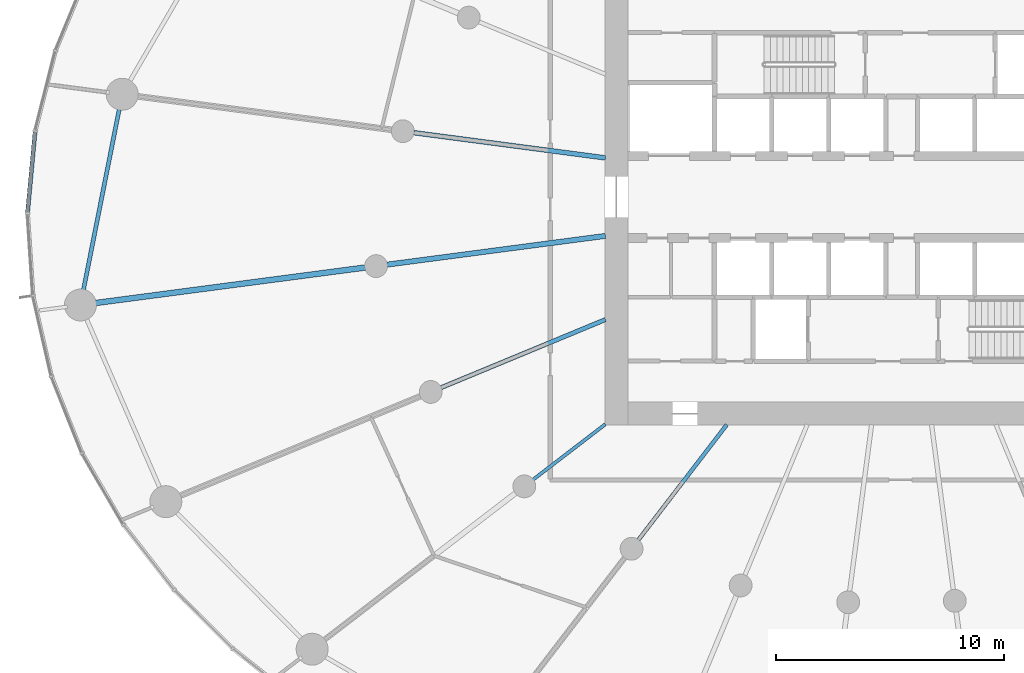
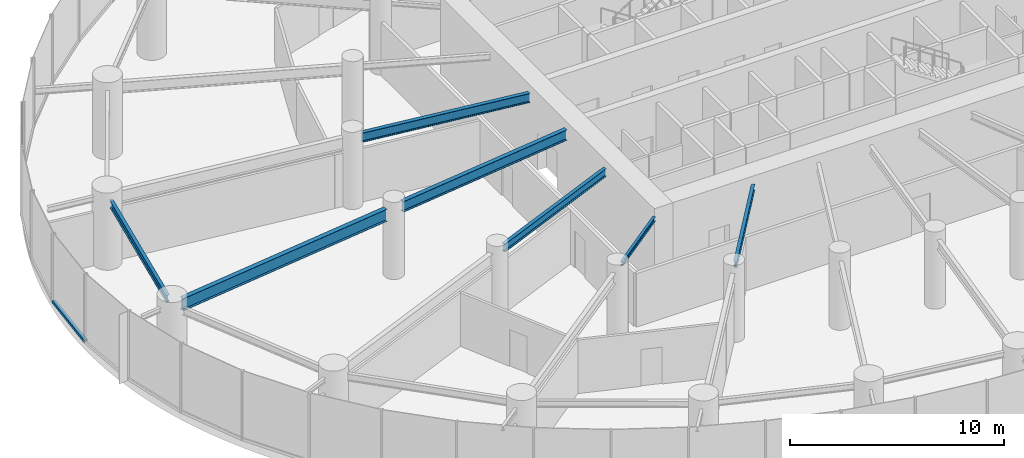
# One storey, part 3 of 19: 7 beams, 1 member, 1 element without a shape of its own.
"""IFC4 building model written with IfcOpenShell, lengths in metres."""

import ifcopenshell
import ifcopenshell.guid

model = None  # the IFC model being written
_history = None  # IfcOwnerHistory: only IFC2X3 demands one
_inside = {}  # id of a spatial element -> (the spatial element, [elements in it])
_under = {}  # id of a project, library or spatial element -> (it, [spatial elements below it])
_declared = {}  # id of a project -> (the project, [libraries it declares])
_typed = {}  # id of a type object -> (the type object, [elements of that type])
_made_of = {}  # id of a material, layer set ... -> (it, [elements and type objects made of it])


def new_model(schema):
    """Start an empty IFC model of exactly this schema.

    Asked for "IFC4X3", IfcOpenShell would pick the latest addendum, in which some entities
    have other attributes; the version numbers below select the first issue.
    IFC2X3 requires an IfcOwnerHistory on every rooted entity: one is made here for all.
    """
    global model, _history
    if schema == "IFC4X3":
        model = ifcopenshell.file(schema_version=(4, 3, 0, 0))
    else:
        model = ifcopenshell.file(schema=schema)
    _inside.clear()
    _under.clear()
    _declared.clear()
    _typed.clear()
    _made_of.clear()
    _history = None
    if model.schema == "IFC2X3":
        org = make("IfcOrganization", Name="unknown")
        user = make(
            "IfcPersonAndOrganization",
            ThePerson=make("IfcPerson", FamilyName="unknown"),
            TheOrganization=org,
        )
        app = make(
            "IfcApplication",
            ApplicationDeveloper=org,
            Version="unknown",
            ApplicationFullName="unknown",
            ApplicationIdentifier="unknown",
        )
        _history = make(
            "IfcOwnerHistory",
            OwningUser=user,
            OwningApplication=app,
            ChangeAction="ADDED",
            CreationDate=0,
        )
    return model


def make(cls, **values):
    """One entity of the class cls with the attributes given. An attribute that is None is left unset."""
    return model.create_entity(
        cls, **{name: value for name, value in values.items() if value is not None}
    )


def rooted(cls, **values):
    """An entity with a GlobalId (a new one), such as an element, a storey or a relation."""
    return make(cls, GlobalId=ifcopenshell.guid.new(), OwnerHistory=_history, **values)


def si_unit(unit_type, name, prefix=None):
    """IfcSIUnit, for example si_unit("LENGTHUNIT", "METRE", prefix="MILLI")."""
    return make("IfcSIUnit", UnitType=unit_type, Prefix=prefix, Name=name)


def assignment(units):
    """IfcUnitAssignment: the units of a project."""
    return None if units is None else make("IfcUnitAssignment", Units=units)


def point(xyz):
    """IfcCartesianPoint."""
    return None if xyz is None else make("IfcCartesianPoint", Coordinates=xyz)


def direction(xyz):
    """IfcDirection."""
    return None if xyz is None else make("IfcDirection", DirectionRatios=xyz)


def frame(location, z_axis=None, x_axis=None):
    """IfcAxis2Placement3D, a coordinate frame: its origin and axes. An axis left out is left unset."""
    return make(
        "IfcAxis2Placement3D",
        Location=point(location),
        Axis=direction(z_axis),
        RefDirection=direction(x_axis),
    )


def frame_2d(location, x_axis=None):
    """IfcAxis2Placement2D, a coordinate frame in the plane: its origin and x axis."""
    return make(
        "IfcAxis2Placement2D", Location=point(location), RefDirection=direction(x_axis)
    )


def origin():
    """The frame at (0, 0, 0) with its axes left unset."""
    return frame((0.0, 0.0, 0.0))


def origin_2d():
    """The frame at (0, 0) in the plane with its x axis left unset."""
    return frame_2d((0.0, 0.0))


def place(relative_to, where):
    """IfcLocalPlacement: puts the frame where relative to a parent placement (None: the world)."""
    return make(
        "IfcLocalPlacement", PlacementRelTo=relative_to, RelativePlacement=where
    )


def context(
    kind, dimensions, precision=None, world=None, true_north=None, identifier=None
):
    """IfcGeometricRepresentationContext, for example the 3D "Model" context."""
    return make(
        "IfcGeometricRepresentationContext",
        ContextIdentifier=identifier,
        ContextType=kind,
        CoordinateSpaceDimension=dimensions,
        Precision=precision,
        WorldCoordinateSystem=world,
        TrueNorth=true_north,
    )


def subcontext(parent, identifier, kind, view, scale=None):
    """IfcGeometricRepresentationSubContext, for example "Body" below "Model"."""
    return make(
        "IfcGeometricRepresentationSubContext",
        ContextIdentifier=identifier,
        ContextType=kind,
        ParentContext=parent,
        TargetScale=scale,
        TargetView=view,
    )


def project(units=None, contexts=None):
    """IfcProject with its units and contexts."""
    return rooted(
        "IfcProject",
        Name="project",
        RepresentationContexts=contexts,
        UnitsInContext=assignment(units),
    )


def spatial(cls, under=None, at=None, **own):
    """A site, building, storey or space (cls), placed at a placement, below another one or the project."""
    s = rooted(cls, ObjectPlacement=at, **own)
    if under is not None:
        _under.setdefault(under.id(), (under, []))[1].append(s)
    return s


def profile(cls, at=None, kind="AREA", **sizes):
    """A parametric profile (cls). Its sizes go by their IFC names, for example OverallWidth=200.0."""
    return make(cls, ProfileType=kind, Position=at, **sizes)


def rectangle(**sizes):
    """IfcRectangleProfileDef."""
    return profile("IfcRectangleProfileDef", **sizes)


def i_section(**sizes):
    """IfcIShapeProfileDef."""
    return profile("IfcIShapeProfileDef", **sizes)


def extrude(swept, where, along, depth):
    """IfcExtrudedAreaSolid: the profile swept, set in the frame where, extruded along a direction by depth."""
    return make(
        "IfcExtrudedAreaSolid",
        SweptArea=swept,
        Position=where,
        ExtrudedDirection=direction(along),
        Depth=depth,
    )


def shape(context_of_items, identifier, shape_type, items):
    """IfcShapeRepresentation: the items that make up one representation, for example the "Body"."""
    return make(
        "IfcShapeRepresentation",
        ContextOfItems=context_of_items,
        RepresentationIdentifier=identifier,
        RepresentationType=shape_type,
        Items=items,
    )


def source(mapping_origin, context_of_items, identifier, shape_type, items):
    """IfcRepresentationMap: a shape defined once, which mapped items show again and again."""
    return make(
        "IfcRepresentationMap",
        MappingOrigin=mapping_origin,
        MappedRepresentation=shape(context_of_items, identifier, shape_type, items),
    )


def transform(
    local_origin,
    x_axis=None,
    y_axis=None,
    z_axis=None,
    scale=None,
    scale2=None,
    scale3=None,
    uniform=True,
):
    """IfcCartesianTransformationOperator3D, or its non-uniform kind. x_axis, y_axis, z_axis: its Axis1, 2, 3."""
    if uniform:
        return make(
            "IfcCartesianTransformationOperator3D",
            Axis1=direction(x_axis),
            Axis2=direction(y_axis),
            LocalOrigin=point(local_origin),
            Scale=scale,
            Axis3=direction(z_axis),
        )
    return make(
        "IfcCartesianTransformationOperator3DnonUniform",
        Axis1=direction(x_axis),
        Axis2=direction(y_axis),
        LocalOrigin=point(local_origin),
        Scale=scale,
        Axis3=direction(z_axis),
        Scale2=scale2,
        Scale3=scale3,
    )


def mapped(mapping_source, mapping_target):
    """IfcMappedItem: shows the shape of a source again, moved by a transform."""
    return make(
        "IfcMappedItem", MappingSource=mapping_source, MappingTarget=mapping_target
    )


def material(Name=None, Category=None):
    """IfcMaterial."""
    return make("IfcMaterial", Name=Name, Category=Category)


def layer(
    of_material, thickness, ventilated=None, Name=None, Category=None, Priority=None
):
    """IfcMaterialLayer: one layer of a wall or slab, of a material (None: an air gap)."""
    return make(
        "IfcMaterialLayer",
        Material=of_material,
        LayerThickness=thickness,
        IsVentilated=ventilated,
        Name=Name,
        Category=Category,
        Priority=Priority,
    )


def layer_set(layers, Name=None):
    """IfcMaterialLayerSet."""
    return make("IfcMaterialLayerSet", MaterialLayers=layers, LayerSetName=Name)


def material_profile(
    of_material, cross_section, Name=None, Category=None, Priority=None
):
    """IfcMaterialProfile: a cross section and its material."""
    return make(
        "IfcMaterialProfile",
        Name=Name,
        Material=of_material,
        Profile=cross_section,
        Priority=Priority,
        Category=Category,
    )


def profile_set(profiles, Name=None, composite=None):
    """IfcMaterialProfileSet."""
    return make(
        "IfcMaterialProfileSet",
        Name=Name,
        MaterialProfiles=profiles,
        CompositeProfile=composite,
    )


def made_of(thing, what):
    """Note that an element or type object is made of a material, layer set ...; save() writes the relation."""
    if what is not None:
        _made_of.setdefault(what.id(), (what, []))[1].append(thing)
    return thing


def type_object(cls, material=None, **own):
    """A type object (cls), such as IfcWallType, which elements share."""
    return made_of(rooted(cls, **own), material)


def element(
    cls,
    number,
    at=None,
    inside=None,
    cuts=None,
    type_object=None,
    material=None,
    context=None,
    identifier="Body",
    shape_type=None,
    held_by="IfcProductDefinitionShape",
    body=None,
    shapes=None,
    **own,
):
    """One element of the class cls, such as IfcWall. Its Tag is "e" and its number.

    at: its placement. inside: the storey or other place that contains it. cuts: it is an
    opening in that element (IfcRelVoidsElement). A single representation is given by context,
    identifier, shape_type and body (its items); several are given by shapes. held_by: the class
    of the entity that holds the representations. save() writes the other relations.
    """
    e = rooted(cls, Tag="e%d" % number, ObjectPlacement=at, **own)
    if body is not None:
        shapes = [shape(context, identifier, shape_type, body)]
    if shapes is not None:
        e.Representation = make(held_by, Representations=shapes)
    if inside is not None:
        _inside.setdefault(inside.id(), (inside, []))[1].append(e)
    if cuts is not None:
        rooted(
            "IfcRelVoidsElement", RelatingBuildingElement=cuts, RelatedOpeningElement=e
        )
    if type_object is not None:
        _typed.setdefault(type_object.id(), (type_object, []))[1].append(e)
    return made_of(e, material)


def aggregate(whole, parts):
    """IfcRelAggregates: a whole, such as a stair, and the parts it consists of."""
    return rooted("IfcRelAggregates", RelatingObject=whole, RelatedObjects=parts)


def save(model, path):
    """Write the relations noted so far, then the file.

    IfcRelAggregates (storeys below a building ...), IfcRelContainedInSpatialStructure (elements
    in a storey), IfcRelDefinesByType, IfcRelAssociatesMaterial and IfcRelDeclares: one each for
    every whole, place, type object, material and project.
    """
    for whole, parts in _under.values():
        aggregate(whole, parts)
    for where, things in _inside.values():
        rooted(
            "IfcRelContainedInSpatialStructure",
            RelatedElements=things,
            RelatingStructure=where,
        )
    for kind, things in _typed.values():
        rooted("IfcRelDefinesByType", RelatedObjects=things, RelatingType=kind)
    for what, things in _made_of.values():
        rooted("IfcRelAssociatesMaterial", RelatedObjects=things, RelatingMaterial=what)
    for by, libraries in _declared.values():
        rooted("IfcRelDeclares", RelatingContext=by, RelatedDefinitions=libraries)
    model.write(path)


model = new_model("IFC4")

# Units and contexts
model_context = context("Model", 3, precision=1e-05, world=origin(), true_north=direction((0.0, 1.0)))
body_context = subcontext(model_context, "Body", "Model", "MODEL_VIEW")
ifc_project = project(units=[si_unit("LENGTHUNIT", "METRE"), si_unit("AREAUNIT", "SQUARE_METRE"), si_unit("VOLUMEUNIT", "CUBIC_METRE"), si_unit("PLANEANGLEUNIT", "RADIAN"), si_unit("MASSUNIT", "GRAM", prefix="KILO")], contexts=[model_context])

# Site, building, storey
site_placement = place(None, origin())
site = spatial("IfcSite", under=ifc_project, at=site_placement, CompositionType="ELEMENT")
building_placement = place(site_placement, origin())
building = spatial("IfcBuilding", under=site, at=building_placement, Name="Spindrift Exchange Tower", CompositionType="ELEMENT")
storey_placement = place(building_placement, frame((0.0, 0.0, 31.39990234375)))
storey = spatial("IfcBuildingStorey", under=building, at=storey_placement, Name="L07", CompositionType="ELEMENT", Elevation=31.39990234375)

# Beams
ifc_material_1 = material(Name="Steel Grade 300", Category="steel")
ifc_material_profile_1 = material_profile(ifc_material_1, i_section(OverallWidth=0.22802734375, OverallDepth=0.60693359375, WebThickness=0.01123046875, FlangeThickness=0.017333984375, FilletRadius=0.013916015625, at=origin_2d()), Name="610UB113")
ifc_profile_set_1 = profile_set([ifc_material_profile_1], Name="Steel Grade 300")
beam_type_1 = type_object("IfcBeamType", Name="Floor Beam 610UB113 Steel Grade 300", PredefinedType="BEAM", material=ifc_profile_set_1)
shared_shape_1 = source(origin(), body_context, "Body", "SweptSolid", [
    extrude(i_section(OverallWidth=0.22802734375, OverallDepth=0.60693359375, WebThickness=0.01123046875, FlangeThickness=0.017333984375, FilletRadius=0.013916015625, at=origin_2d()), origin(), (0.0, 0.0, 1.0), 9.660400390625),
])
beam_1_placement = place(storey_placement, frame((39.019775390625, 46.291015625, 3.646484375), z_axis=(-0.99144767089, -0.130504850054, 0.0), x_axis=(0.130504850054, -0.99144767089, 0.0)))
element("IfcBeam", 1, at=beam_1_placement, inside=storey, type_object=beam_type_1, Name="L07 radial beam R13A", PredefinedType="BEAM", context=body_context, shape_type="MappedRepresentation", body=[
    mapped(shared_shape_1, transform((0.0, 0.0, 0.0), scale=1.0)),
])
ifc_material_profile_2 = material_profile(ifc_material_1, i_section(OverallWidth=0.25, OverallDepth=0.699951171875, WebThickness=0.008056640625, FlangeThickness=0.011962890625, at=origin_2d()), Name="700WB115")
ifc_profile_set_2 = profile_set([ifc_material_profile_2], Name="Steel Grade 300")
beam_type_2 = type_object("IfcBeamType", Name="Floor Beam 700WB115 Steel Grade 300", PredefinedType="BEAM", material=ifc_profile_set_2)
shared_shape_2 = source(origin(), body_context, "Body", "SweptSolid", [
    extrude(i_section(OverallWidth=0.25, OverallDepth=0.699951171875, WebThickness=0.008056640625, FlangeThickness=0.011962890625, at=origin_2d()), origin(), (0.0, 0.0, 1.0), 12.00830078125),
])
beam_2_placement = place(storey_placement, frame((28.490234375, 44.90478515625, 3.60009765625), z_axis=(-0.991444950947, -0.130525511844, 0.0), x_axis=(0.130525511844, -0.991444950947, 0.0)))
element("IfcBeam", 2, at=beam_2_placement, inside=storey, type_object=beam_type_2, Name="L07 radial beam R13B", PredefinedType="BEAM", context=body_context, shape_type="MappedRepresentation", body=[
    mapped(shared_shape_2, transform((0.0, 0.0, 0.0), scale=1.0)),
])
ifc_material_profile_3 = material_profile(ifc_material_1, i_section(OverallWidth=0.18994140625, OverallDepth=0.45703125, WebThickness=0.009033203125, FlangeThickness=0.014404296875, FilletRadius=0.013916015625, at=origin_2d()), Name="460UB74.6")
ifc_profile_set_3 = profile_set([ifc_material_profile_3], Name="Steel Grade 300")
beam_type_3 = type_object("IfcBeamType", Name="Floor Beam 460UB74.6 Steel Grade 300", PredefinedType="BEAM", material=ifc_profile_set_3)
shared_shape_3 = source(origin(), body_context, "Body", "SweptSolid", [
    extrude(i_section(OverallWidth=0.18994140625, OverallDepth=0.45703125, WebThickness=0.009033203125, FlangeThickness=0.014404296875, FilletRadius=0.013916015625, at=origin_2d()), origin(), (0.0, 0.0, 1.0), 7.808837890625),
])
beam_3_placement = place(storey_placement, frame((39.0185546875, 42.622802734375, 3.7216796875), z_axis=(-0.92387965154, -0.382683145003, 0.0), x_axis=(0.382683145003, -0.92387965154, 0.0)))
element("IfcBeam", 3, at=beam_3_placement, inside=storey, type_object=beam_type_3, Name="L07 radial beam R14A", PredefinedType="BEAM", context=body_context, shape_type="MappedRepresentation", body=[
    mapped(shared_shape_3, transform((0.0, 0.0, 0.0), scale=1.0)),
])
ifc_material_profile_4 = material_profile(ifc_material_1, i_section(OverallWidth=0.14599609375, OverallDepth=0.251953125, WebThickness=0.006103515625, FlangeThickness=0.008544921875, FilletRadius=0.011962890625, at=origin_2d()), Name="250UB31.4")
ifc_profile_set_4 = profile_set([ifc_material_profile_4], Name="Steel Grade 300")
beam_type_4 = type_object("IfcBeamType", Name="Floor Beam 250UB31.4 Steel Grade 300", PredefinedType="BEAM", material=ifc_profile_set_4)
shared_shape_4 = source(origin(), body_context, "Body", "SweptSolid", [
    extrude(i_section(OverallWidth=0.14599609375, OverallDepth=0.251953125, WebThickness=0.006103515625, FlangeThickness=0.008544921875, FilletRadius=0.011962890625, at=origin_2d()), origin(), (0.0, 0.0, 1.0), 3.99560546875),
])
beam_4_placement = place(storey_placement, frame((39.015869140625, 38.036865234375, 3.82421875), z_axis=(-0.793352561574, -0.608762443851, 0.0), x_axis=(0.608762443851, -0.793352561574, 0.0)))
element("IfcBeam", 4, at=beam_4_placement, inside=storey, type_object=beam_type_4, Name="L07 radial beam R15A", PredefinedType="BEAM", context=body_context, shape_type="MappedRepresentation", body=[
    mapped(shared_shape_4, transform((0.0, 0.0, 0.0), scale=1.0)),
])
ifc_material_profile_5 = material_profile(ifc_material_1, i_section(OverallWidth=0.172119140625, OverallDepth=0.35888671875, WebThickness=0.008056640625, FlangeThickness=0.012939453125, FilletRadius=0.013916015625, at=origin_2d()), Name="360UB56.7")
ifc_profile_set_5 = profile_set([ifc_material_profile_5], Name="Steel Grade 300")
beam_type_5 = type_object("IfcBeamType", Name="Floor Beam 360UB56.7 Steel Grade 300", PredefinedType="BEAM", material=ifc_profile_set_5)
shared_shape_5 = source(origin(), body_context, "Body", "SweptSolid", [
    extrude(i_section(OverallWidth=0.172119140625, OverallDepth=0.35888671875, WebThickness=0.008056640625, FlangeThickness=0.012939453125, FilletRadius=0.013916015625, at=origin_2d()), origin(), (0.0, 0.0, 1.0), 6.37646484375),
])
beam_5_placement = place(storey_placement, frame((44.3388671875, 38.015869140625, 3.7705078125), z_axis=(-0.608766669952, -0.793349318747, 0.0), x_axis=(0.793349318747, -0.608766669952, 0.0)))
element("IfcBeam", 5, at=beam_5_placement, inside=storey, type_object=beam_type_5, Name="L07 radial beam R16A", PredefinedType="BEAM", context=body_context, shape_type="MappedRepresentation", body=[
    mapped(shared_shape_5, transform((0.0, 0.0, 0.0), scale=1.0)),
])
ifc_material_profile_6 = material_profile(ifc_material_1, i_section(OverallWidth=0.208984375, OverallDepth=0.532958984375, WebThickness=0.01025390625, FlangeThickness=0.015625, FilletRadius=0.013916015625, at=origin_2d()), Name="530UB92.4")
ifc_profile_set_6 = profile_set([ifc_material_profile_6], Name="Steel Grade 300")
beam_type_6 = type_object("IfcBeamType", Name="Floor Beam 530UB92.4 Steel Grade 300", PredefinedType="BEAM", material=ifc_profile_set_6)
shared_shape_6 = source(origin(), body_context, "Body", "SweptSolid", [
    extrude(i_section(OverallWidth=0.208984375, OverallDepth=0.532958984375, WebThickness=0.01025390625, FlangeThickness=0.015625, FilletRadius=0.013916015625, at=origin_2d()), origin(), (0.0, 0.0, 1.0), 8.4794921875),
])
beam_6_placement = place(storey_placement, frame((39.019775390625, 49.708984375, 3.68359375), z_axis=(-0.991446551951, 0.13051335037, 0.0), x_axis=(-0.13051335037, -0.991446551951, 0.0)))
element("IfcBeam", 6, at=beam_6_placement, inside=storey, type_object=beam_type_6, Name="L07 radial beam R12A", PredefinedType="BEAM", context=body_context, shape_type="MappedRepresentation", body=[
    mapped(shared_shape_6, transform((0.0, 0.0, 0.0), scale=1.0)),
])
ifc_material_profile_7 = material_profile(ifc_material_1, i_section(OverallWidth=0.177978515625, OverallDepth=0.406005859375, WebThickness=0.0078125, FlangeThickness=0.0126953125, FilletRadius=0.013916015625, at=origin_2d()), Name="410UB59.7")
ifc_profile_set_7 = profile_set([ifc_material_profile_7], Name="Steel Grade 300")
beam_type_7 = type_object("IfcBeamType", Name="Edge Beam 410UB59.7 Steel Grade 300", PredefinedType="SPANDREL", material=ifc_profile_set_7)
shared_shape_7 = source(origin(), body_context, "Body", "SweptSolid", [
    extrude(i_section(OverallWidth=0.177978515625, OverallDepth=0.406005859375, WebThickness=0.0078125, FlangeThickness=0.0126953125, FilletRadius=0.013916015625, at=origin_2d()), origin(), (0.0, 0.0, 1.0), 8.2548828125),
])
beam_7_placement = place(storey_placement, frame((17.72607421875, 51.928466796875, 3.7470703125), z_axis=(-0.194278723288, -0.9809463684, 0.0), x_axis=(0.9809463684, -0.194278723288, 0.0)))
element("IfcBeam", 7, at=beam_7_placement, inside=storey, type_object=beam_type_7, Name="L07 edge beam E12", PredefinedType="SPANDREL", context=body_context, shape_type="MappedRepresentation", body=[
    mapped(shared_shape_7, transform((0.0, 0.0, 0.0), scale=1.0)),
])

# Curtain wall, member
ifc_material_2 = material(Name="Fritted laminated glass with bronze frame", Category="glass")
ifc_layer = layer(ifc_material_2, 0.199951171875)
ifc_layer_set = layer_set([ifc_layer], Name="ZONE 1 BRONZE FRITTED WALL")
curtain_wall_type = type_object("IfcCurtainWallType", Name="ZONE 1 BRONZE FRITTED WALL", PredefinedType="NOTDEFINED", material=ifc_layer_set)
curtain_wall_placement = place(storey_placement, origin())
curtain_wall = element("IfcCurtainWall", 8, at=curtain_wall_placement, inside=storey, type_object=curtain_wall_type, Name="L07 Zone 1 Bronze Fritted Wall run 5", PredefinedType="NOTDEFINED")
ifc_material_3 = material(Name="Bronze anodised aluminium", Category="aluminium")
ifc_material_profile_8 = material_profile(ifc_material_3, rectangle(XDim=0.179931640625, YDim=0.14990234375, at=origin_2d()), Name="ZONE 1 BRONZE FRITTED WALL TRANSOM 180X150")
ifc_profile_set_8 = profile_set([ifc_material_profile_8], Name="Bronze anodised aluminium")
member_type = type_object("IfcMemberType", Name="ZONE 1 BRONZE FRITTED WALL TRANSOM 180X150", PredefinedType="USERDEFINED", material=ifc_profile_set_8)
shared_shape_8 = source(origin(), body_context, "Body", "SweptSolid", [
    extrude(rectangle(XDim=0.179931640625, YDim=0.14990234375, at=origin_2d()), origin(), (0.0, 0.0, 1.0), 3.544677734375),
])
member_placement = place(storey_placement, frame((14.0185546875, 50.85107421875, 0.0751953125), z_axis=(-0.092709123852, -0.995693235065, 0.0), x_axis=(0.995693235065, -0.092709123852, 0.0)))
member = element("IfcMember", 9, at=member_placement, type_object=member_type, Name="L07 transom CW-1.29", ObjectType="TRANSOM", PredefinedType="USERDEFINED", context=body_context, shape_type="MappedRepresentation", body=[
    mapped(shared_shape_8, transform((0.0, 0.0, 0.0), scale=1.0)),
])
aggregate(curtain_wall, [member])

save(model, "model.ifc")
